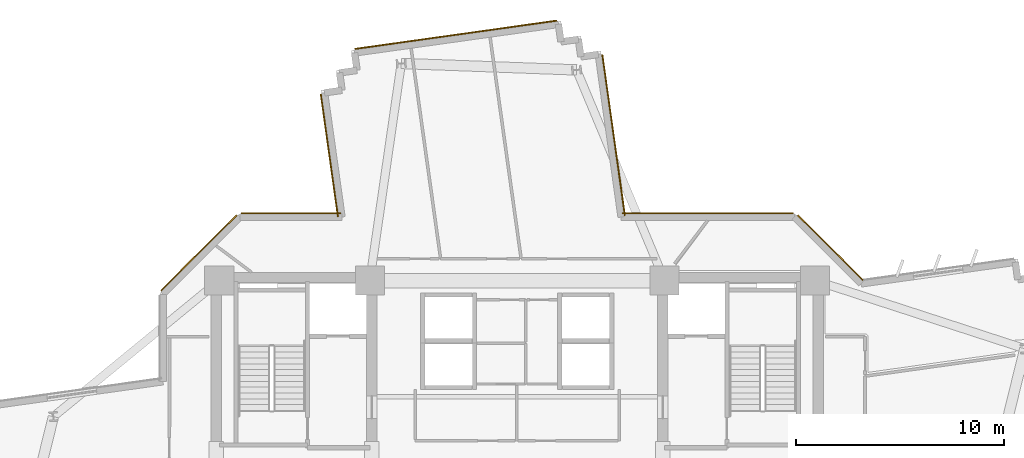
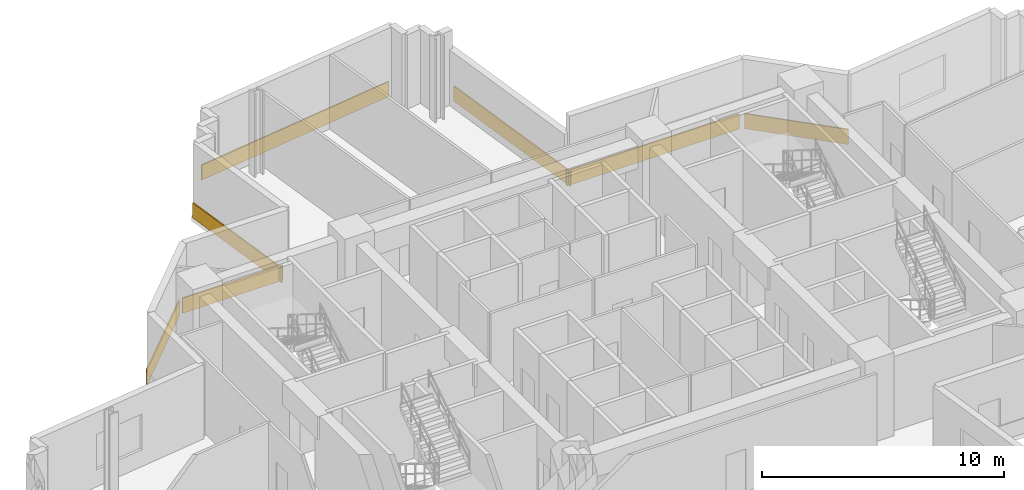
# One storey, part 14 of 14: 7 coverings.
"""IFC4 building model written with IfcOpenShell, lengths in metres."""

from ifc_helpers import new_model, si_unit, direction, frame, origin, origin_2d, place, context, subcontext, project, spatial, rectangle, extrude, source, transform, mapped, material, layer, layer_set, type_object, element, save


model = new_model("IFC4")

# Units and contexts
model_context = context("Model", 3, precision=1e-05, world=origin(), true_north=direction((0.0, 1.0)))
body_context = subcontext(model_context, "Body", "Model", "MODEL_VIEW")
ifc_project = project(units=[si_unit("LENGTHUNIT", "METRE"), si_unit("AREAUNIT", "SQUARE_METRE"), si_unit("VOLUMEUNIT", "CUBIC_METRE"), si_unit("PLANEANGLEUNIT", "RADIAN"), si_unit("MASSUNIT", "GRAM", prefix="KILO")], contexts=[model_context])

# Site, building, storey
site_placement = place(None, origin())
site = spatial("IfcSite", under=ifc_project, at=site_placement, CompositionType="ELEMENT")
building_placement = place(site_placement, origin())
building = spatial("IfcBuilding", under=site, at=building_placement, Name="Zahravan Cultural Tower", CompositionType="ELEMENT")
storey_placement = place(building_placement, frame((0.0, 0.0, 121.5)))
storey = spatial("IfcBuildingStorey", under=building, at=storey_placement, Name="L27", CompositionType="ELEMENT", Elevation=121.5)

# Coverings
ifc_material = material(Name="Terracotta ceramic cladding", Category="masonry")
ifc_layer = layer(ifc_material, 0.06005859375)
ifc_layer_set = layer_set([ifc_layer], Name="Terracotta ceramic cladding")
covering_type = type_object("IfcCoveringType", Name="COV-CLAD-TC60", PredefinedType="CLADDING", material=ifc_layer_set)
shared_shape_1 = source(origin(), body_context, "Body", "SweptSolid", [
    extrude(rectangle(XDim=9.820068359375, YDim=0.06005859375, at=origin_2d()), origin(), (0.0, 0.0, 1.0), 0.760009765625),
])
covering_1_placement = place(storey_placement, frame((33.050537109375, 48.039306640625, 0.02001953125), z_axis=(0.0, 0.0, 1.0), x_axis=(0.990316588987, 0.138827423723, 0.0)))
element("IfcCovering", 1, at=covering_1_placement, inside=storey, type_object=covering_type, Name="L27 Terracotta Spandrel Cladding 45", PredefinedType="CLADDING", context=body_context, shape_type="MappedRepresentation", body=[
    mapped(shared_shape_1, transform((0.0, 0.0, 0.0), x_axis=(1.0, 0.0, 0.0), y_axis=(0.0, 1.0, 0.0), z_axis=(0.0, 0.0, 1.0), scale=1.0)),
])
shared_shape_2 = source(origin(), body_context, "Body", "SweptSolid", [
    extrude(rectangle(XDim=5.157958984375, YDim=0.06005859375, at=origin_2d()), origin(), (0.0, 0.0, 1.0), 0.760009765625),
])
covering_2_placement = place(storey_placement, frame((20.668212890625, 37.53173828125, 0.02001953125), z_axis=(0.0, 0.0, 1.0), x_axis=(0.707106781187, 0.707106781187, 0.0)))
element("IfcCovering", 2, at=covering_2_placement, inside=storey, type_object=covering_type, Name="L27 Terracotta Spandrel Cladding 38", PredefinedType="CLADDING", context=body_context, shape_type="MappedRepresentation", body=[
    mapped(shared_shape_2, transform((0.0, 0.0, 0.0), x_axis=(1.0, 0.0, 0.0), y_axis=(0.0, 1.0, 0.0), z_axis=(0.0, 0.0, 1.0), scale=1.0)),
])
shared_shape_3 = source(origin(), body_context, "Body", "SweptSolid", [
    extrude(rectangle(XDim=4.798095703125, YDim=0.06005859375, at=origin_2d()), origin(), (0.0, 0.0, 1.0), 0.760009765625),
])
covering_3_placement = place(storey_placement, frame((25.107177734375, 39.445068359375, 0.02001953125), z_axis=(0.0, 0.0, 1.0), x_axis=(1.0, 0.0, 0.0)))
element("IfcCovering", 3, at=covering_3_placement, inside=storey, type_object=covering_type, Name="L27 Terracotta Spandrel Cladding 39", PredefinedType="CLADDING", context=body_context, shape_type="MappedRepresentation", body=[
    mapped(shared_shape_3, transform((0.0, 0.0, 0.0), x_axis=(1.0, 0.0, 0.0), y_axis=(0.0, 1.0, 0.0), z_axis=(0.0, 0.0, 1.0), scale=1.0)),
])
shared_shape_4 = source(origin(), body_context, "Body", "SweptSolid", [
    extrude(rectangle(XDim=5.9462890625, YDim=0.06005859375, at=origin_2d()), origin(), (0.0, 0.0, 1.0), 0.760009765625),
])
covering_4_placement = place(storey_placement, frame((26.953369140625, 42.228271484375, 0.02001953125), z_axis=(0.0, 0.0, 1.0), x_axis=(-0.138827423723, 0.990316588987, 0.0)))
element("IfcCovering", 4, at=covering_4_placement, inside=storey, type_object=covering_type, Name="L27 Terracotta Spandrel Cladding 40", PredefinedType="CLADDING", context=body_context, shape_type="MappedRepresentation", body=[
    mapped(shared_shape_4, transform((0.0, 0.0, 0.0), x_axis=(1.0, 0.0, 0.0), y_axis=(0.0, 1.0, 0.0), z_axis=(0.0, 0.0, 1.0), scale=1.0)),
])
shared_shape_5 = source(origin(), body_context, "Body", "SweptSolid", [
    extrude(rectangle(XDim=7.813720703125, YDim=0.06005859375, at=origin_2d()), origin(), (0.0, 0.0, 1.0), 0.760009765625),
])
covering_5_placement = place(storey_placement, frame((40.640380859375, 43.2041015625, 0.02001953125), z_axis=(0.0, 0.0, 1.0), x_axis=(0.138827423723, -0.990316588987, 0.0)))
element("IfcCovering", 5, at=covering_5_placement, inside=storey, type_object=covering_type, Name="L27 Terracotta Spandrel Cladding 50", PredefinedType="CLADDING", context=body_context, shape_type="MappedRepresentation", body=[
    mapped(shared_shape_5, transform((0.0, 0.0, 0.0), x_axis=(1.0, 0.0, 0.0), y_axis=(0.0, 1.0, 0.0), z_axis=(0.0, 0.0, 1.0), scale=1.0)),
])
shared_shape_6 = source(origin(), body_context, "Body", "SweptSolid", [
    extrude(rectangle(XDim=8.235595703125, YDim=0.06005859375, at=origin_2d()), origin(), (0.0, 0.0, 1.0), 0.760009765625),
])
covering_6_placement = place(storey_placement, frame((45.17431640625, 39.445068359375, 0.02001953125), z_axis=(0.0, 0.0, 1.0), x_axis=(1.0, 0.0, 0.0)))
element("IfcCovering", 6, at=covering_6_placement, inside=storey, type_object=covering_type, Name="L27 Terracotta Spandrel Cladding 51", PredefinedType="CLADDING", context=body_context, shape_type="MappedRepresentation", body=[
    mapped(shared_shape_6, transform((0.0, 0.0, 0.0), x_axis=(1.0, 0.0, 0.0), y_axis=(0.0, 1.0, 0.0), z_axis=(0.0, 0.0, 1.0), scale=1.0)),
])
shared_shape_7 = source(origin(), body_context, "Body", "SweptSolid", [
    extrude(rectangle(XDim=4.445068359375, YDim=0.06005859375, at=origin_2d()), origin(), (0.0, 0.0, 1.0), 0.760009765625),
])
covering_7_placement = place(storey_placement, frame((51.079833984375, 37.783935546875, 0.02001953125), z_axis=(0.0, 0.0, 1.0), x_axis=(0.707106781187, -0.707106781187, 0.0)))
element("IfcCovering", 7, at=covering_7_placement, inside=storey, type_object=covering_type, Name="L27 Terracotta Spandrel Cladding 52", PredefinedType="CLADDING", context=body_context, shape_type="MappedRepresentation", body=[
    mapped(shared_shape_7, transform((0.0, 0.0, 0.0), x_axis=(1.0, 0.0, 0.0), y_axis=(0.0, 1.0, 0.0), z_axis=(0.0, 0.0, 1.0), scale=1.0)),
])

save(model, "model.ifc")
